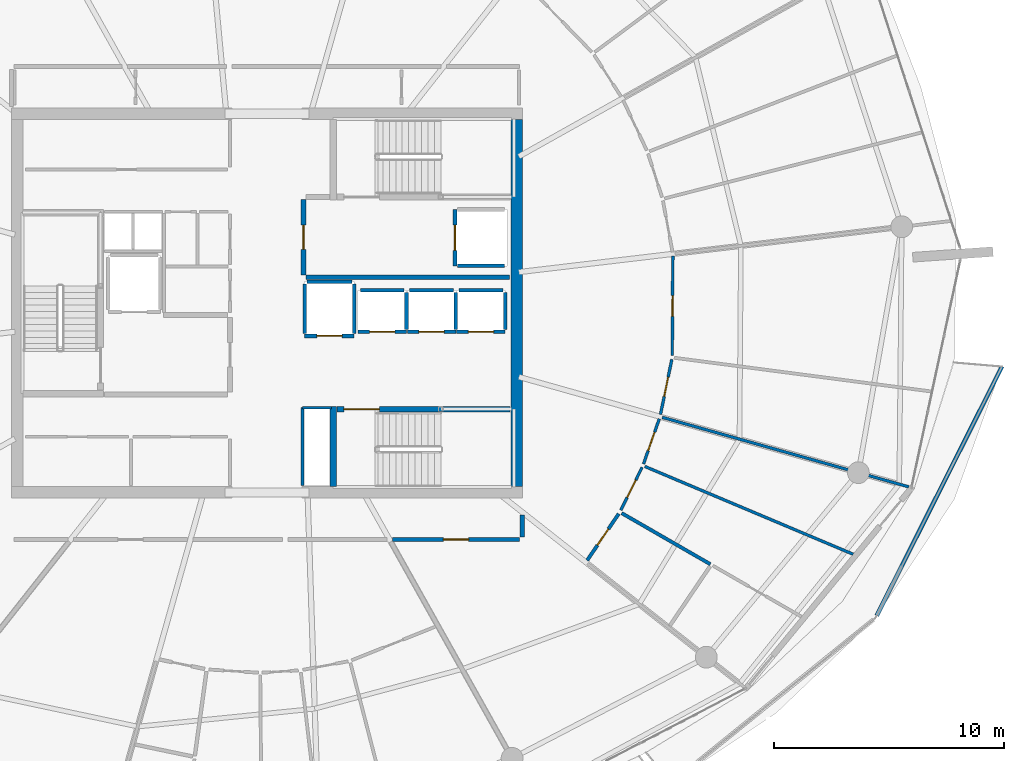
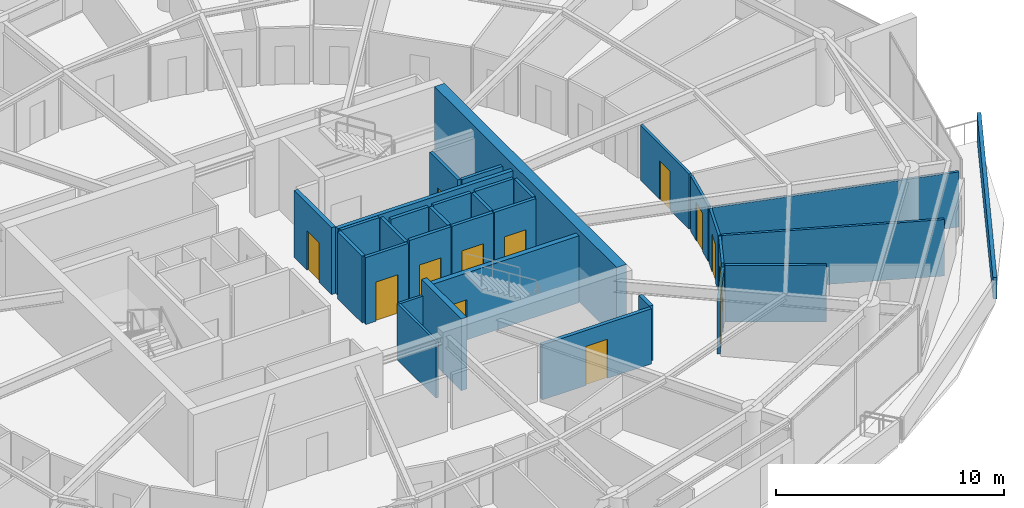
# One storey, part 20 of 30: 33 walls, 13 doors, 13 openings.
"""IFC4 building model written with IfcOpenShell, lengths in metres."""

from ifc_helpers import new_model, si_unit, direction, frame, frame_2d, origin, place, context, subcontext, project, spatial, polyline, rectangle, outline, extrude, material, layer, layer_set, type_object, element, fill, save


model = new_model("IFC4")

# Units and contexts
model_context = context("Model", 3, precision=1e-05, world=origin(), true_north=direction((0.0, 1.0)))
body_context = subcontext(model_context, "Body", "Model", "MODEL_VIEW")
ifc_project = project(units=[si_unit("LENGTHUNIT", "METRE"), si_unit("AREAUNIT", "SQUARE_METRE"), si_unit("VOLUMEUNIT", "CUBIC_METRE"), si_unit("PLANEANGLEUNIT", "RADIAN"), si_unit("MASSUNIT", "GRAM", prefix="KILO")], contexts=[model_context])

# Site, building, storey
site_placement = place(None, origin())
site = spatial("IfcSite", under=ifc_project, at=site_placement, CompositionType="ELEMENT")
building_placement = place(site_placement, origin())
building = spatial("IfcBuilding", under=site, at=building_placement, Name="Kazma Halo Residences", CompositionType="ELEMENT")
storey_placement = place(building_placement, frame((0.0, 0.0, 298.300048828125)))
storey = spatial("IfcBuildingStorey", under=building, at=storey_placement, Name="L75", CompositionType="ELEMENT", Elevation=298.300048828125)

# Walls
ifc_material_1 = material(Name="White Concrete C50/60 Balustrade", Category="concrete")
ifc_layer_1 = layer(ifc_material_1, 0.179931640625)
ifc_layer_set_1 = layer_set([ifc_layer_1], Name="White Concrete C50/60 Balustrade")
wall_type_1 = type_object("IfcWallType", Name="WL-BAL-WAVE-180", PredefinedType="PARAPET", material=ifc_layer_set_1)
wall_1_placement = place(storey_placement, frame((74.99072265625, 28.382080078125, 0.0), z_axis=(0.0, 0.0, 1.0), x_axis=(0.449276289184, 0.893392867655, 0.0)))
element("IfcWall", 1, at=wall_1_placement, inside=storey, type_object=wall_type_1, Name="L75 white wave balustrade wall SE.2", PredefinedType="PARAPET", context=body_context, shape_type="SweptSolid", body=[
    extrude(outline(polyline([(0.0, 0.0), (12.160400390625, 0.0), (12.160400390625, 1.48291015625), (6.080078125, 1.283935546875), (0.0, 1.14794921875), (0.0, 0.0)])), frame((0.0, 0.08984375, 0.0), z_axis=(0.0, -1.0, 0.0), x_axis=(1.0, 0.0, 0.0)), (0.0, 0.0, 1.0), 0.179931640625),
])
ifc_material_2 = material(Name="Concrete C60/75", Category="concrete")
ifc_layer_2 = layer(ifc_material_2, 0.5)
ifc_layer_set_2 = layer_set([ifc_layer_2], Name="Concrete C60/75")
wall_type_2 = type_object("IfcWallType", Name="WL-CORE-500", PredefinedType="SHEAR", material=ifc_layer_set_2)
wall_2_placement = place(storey_placement, frame((59.300048828125, 34.0, 0.0), z_axis=(0.0, 0.0, 1.0), x_axis=(0.0, 1.0, 0.0)))
element("IfcWall", 2, at=wall_2_placement, inside=storey, type_object=wall_type_2, Name="L75 central core shear wall E", PredefinedType="SHEAR", context=body_context, shape_type="SweptSolid", body=[
    extrude(rectangle(XDim=16.0, YDim=0.5, at=frame_2d((8.0, 0.0))), origin(), (0.0, 0.0, 1.0), 3.849853515625),
])
ifc_layer_3 = layer(ifc_material_2, 0.280029296875)
ifc_layer_set_3 = layer_set([ifc_layer_3], Name="Concrete C60/75")
wall_type_3 = type_object("IfcWallType", Name="WL-CORE-ST-280", PredefinedType="SHEAR", material=ifc_layer_set_3)
wall_3_placement = place(storey_placement, frame((51.31005859375, 34.0, 0.0), z_axis=(0.0, 0.0, 1.0), x_axis=(0.0, 1.0, 0.0)))
element("IfcWall", 3, at=wall_3_placement, inside=storey, type_object=wall_type_3, Name="L75 stairwell bearing wall ST03-W", PredefinedType="SHEAR", context=body_context, shape_type="SweptSolid", body=[
    extrude(rectangle(XDim=3.5, YDim=0.280029296875, at=frame_2d((1.75, 0.0))), origin(), (0.0, 0.0, 1.0), 3.849853515625),
])

# Wall, opening, door
ifc_material_3 = material(Name="Acoustic Twin-Stud Gypsum")
ifc_layer_4 = layer(ifc_material_3, 0.179931640625)
ifc_layer_set_4 = layer_set([ifc_layer_4], Name="Acoustic Twin-Stud Gypsum")
wall_type_4 = type_object("IfcWallType", Name="WL-DEM-180", PredefinedType="PARTITIONING", material=ifc_layer_set_4)
wall_4_placement = place(storey_placement, frame((53.88818359375, 31.699951171875, 0.0), z_axis=(0.0, 0.0, 1.0), x_axis=(1.0, 0.0, 0.0)))
wall_4 = element("IfcWall", 4, at=wall_4_placement, inside=storey, type_object=wall_type_4, Name="L75 Apartment 2 entrance corridor wall", PredefinedType="PARTITIONING", context=body_context, shape_type="SweptSolid", body=[
    extrude(rectangle(XDim=5.541748046875, YDim=0.179931640625, at=frame_2d((2.77099609375, 0.0))), origin(), (0.0, 0.0, 1.0), 2.95703125),
])
opening_1_placement = place(wall_4_placement, frame((2.220703125, 0.0, 0.0)))
opening_1 = element("IfcOpeningElement", 5, at=opening_1_placement, cuts=wall_4, Name="Opening DA-1100", PredefinedType="OPENING", context=body_context, shape_type="SweptSolid", body=[
    extrude(rectangle(XDim=1.10009765625, YDim=2.10009765625, at=frame_2d((0.550048828125, 1.050048828125))), frame((0.0, 0.099853515625, 0.0), z_axis=(0.0, -1.0, 0.0), x_axis=(1.0, 0.0, 0.0)), (0.0, 0.0, 1.0), 0.199951171875),
])
ifc_material_4 = material(Name="Acoustic Walnut Fire Leaf")
door_type_1 = type_object("IfcDoorType", Name="DR-FD60-1100", OperationType="NOTDEFINED", PredefinedType="DOOR", material=ifc_material_4)
door_1_placement = place(opening_1_placement, origin())
door_1 = element("IfcDoor", 6, at=door_1_placement, inside=storey, type_object=door_type_1, Name="L75 Apartment 2 entrance fire door", OperationType="SINGLE_SWING_RIGHT", OverallHeight=2.10009765625, OverallWidth=1.10009765625, PredefinedType="DOOR", context=body_context, shape_type="SweptSolid", body=[
    extrude(rectangle(XDim=1.10009765625, YDim=2.10009765625, at=frame_2d((0.550048828125, 1.050048828125))), frame((0.0, 0.02490234375, 0.0), z_axis=(0.0, -1.0, 0.0), x_axis=(1.0, 0.0, 0.0)), (0.0, 0.0, 1.0), 0.050048828125),
])
fill(opening_1, door_1)

# Wall
wall_5_placement = place(storey_placement, frame((59.550048828125, 31.820068359375, 0.0), z_axis=(0.0, 0.0, 1.0), x_axis=(0.0, 1.0, 0.0)))
element("IfcWall", 7, at=wall_5_placement, inside=storey, type_object=wall_type_4, Name="L75 Apartment 2 entrance corridor wall", PredefinedType="PARTITIONING", context=body_context, shape_type="SweptSolid", body=[
    extrude(rectangle(XDim=0.95458984375, YDim=0.179931640625, at=frame_2d((0.477294921875, 0.0))), origin(), (0.0, 0.0, 1.0), 2.95703125),
])

# Wall, opening, door
ifc_material_5 = material(Name="Fire-Rated Blockwork Masonry", Category="masonry")
ifc_layer_5 = layer(ifc_material_5, 0.199951171875)
ifc_layer_set_5 = layer_set([ifc_layer_5], Name="Fire-Rated Blockwork Masonry")
wall_type_5 = type_object("IfcWallType", Name="WL-FLB-200", PredefinedType="PARTITIONING", material=ifc_layer_set_5)
wall_6_placement = place(storey_placement, frame((54.5048828125, 40.7451171875, 0.0), z_axis=(0.0, 0.0, 1.0), x_axis=(-1.0, 0.0, 0.0)))
wall_6 = element("IfcWall", 8, at=wall_6_placement, inside=storey, type_object=wall_type_5, Name="L75 lift shaft PH-01 front wall", PredefinedType="PARTITIONING", context=body_context, shape_type="SweptSolid", body=[
    extrude(rectangle(XDim=2.10986328125, YDim=0.159912109375, at=frame_2d((1.054931640625, 0.0))), origin(), (0.0, 0.0, 1.0), 3.58984375),
])
opening_2_placement = place(wall_6_placement, frame((0.5048828125, 0.0, 0.0)))
opening_2 = element("IfcOpeningElement", 9, at=opening_2_placement, cuts=wall_6, Name="Opening LD-PH-01", PredefinedType="OPENING", context=body_context, shape_type="SweptSolid", body=[
    extrude(rectangle(XDim=1.10009765625, YDim=2.10009765625, at=frame_2d((0.550048828125, 1.050048828125))), frame((0.0, 0.08984375, 0.0), z_axis=(0.0, -1.0, 0.0), x_axis=(1.0, 0.0, 0.0)), (0.0, 0.0, 1.0), 0.179931640625),
])
ifc_material_6 = material(Name="Stainless Steel Fire-Rated", Category="steel")
door_type_2 = type_object("IfcDoorType", Name="DR-LIFT-SLD-1100", OperationType="DOUBLE_DOOR_SLIDING", PredefinedType="DOOR", material=ifc_material_6)
door_2_placement = place(opening_2_placement, origin())
door_2 = element("IfcDoor", 10, at=door_2_placement, inside=storey, type_object=door_type_2, Name="L75 lift PH-01 sliding landing door", OperationType="DOUBLE_DOOR_SLIDING", OverallHeight=2.10009765625, OverallWidth=1.10009765625, PredefinedType="DOOR", context=body_context, shape_type="SweptSolid", body=[
    extrude(rectangle(XDim=1.10009765625, YDim=2.10009765625, at=frame_2d((0.550048828125, 1.050048828125))), frame((0.0, 0.02490234375, 0.0), z_axis=(0.0, -1.0, 0.0), x_axis=(1.0, 0.0, 0.0)), (0.0, 0.0, 1.0), 0.050048828125),
])
fill(opening_2, door_2)

# Walls
wall_7_placement = place(storey_placement, frame((54.5048828125, 40.844970703125, 0.0), z_axis=(0.0, 0.0, 1.0), x_axis=(0.0, 1.0, 0.0)))
element("IfcWall", 11, at=wall_7_placement, inside=storey, type_object=wall_type_5, Name="L75 lift shaft PH-01 side wall E", PredefinedType="PARTITIONING", context=body_context, shape_type="SweptSolid", body=[
    extrude(rectangle(XDim=1.610107421875, YDim=0.159912109375, at=frame_2d((0.80517578125, 0.0))), origin(), (0.0, 0.0, 1.0), 3.58984375),
])
wall_8_placement = place(storey_placement, frame((52.4951171875, 42.554931640625, 0.0), z_axis=(0.0, 0.0, 1.0), x_axis=(1.0, 0.0, 0.0)))
element("IfcWall", 12, at=wall_8_placement, inside=storey, type_object=wall_type_5, Name="L75 lift shaft PH-01 side wall N", PredefinedType="PARTITIONING", context=body_context, shape_type="SweptSolid", body=[
    extrude(rectangle(XDim=1.909912109375, YDim=0.159912109375, at=frame_2d((0.955078125, 0.0))), origin(), (0.0, 0.0, 1.0), 3.58984375),
])

# Wall, opening, door
wall_9_placement = place(storey_placement, frame((56.655029296875, 40.7451171875, 0.0), z_axis=(0.0, 0.0, 1.0), x_axis=(-1.0, 0.0, 0.0)))
wall_9 = element("IfcWall", 13, at=wall_9_placement, inside=storey, type_object=wall_type_5, Name="L75 lift shaft PH-02 front wall", PredefinedType="PARTITIONING", context=body_context, shape_type="SweptSolid", body=[
    extrude(rectangle(XDim=2.110107421875, YDim=0.159912109375, at=frame_2d((1.05517578125, 0.0))), origin(), (0.0, 0.0, 1.0), 3.58984375),
])
opening_3_placement = place(wall_9_placement, frame((0.5048828125, 0.0, 0.0)))
opening_3 = element("IfcOpeningElement", 14, at=opening_3_placement, cuts=wall_9, Name="Opening LD-PH-02", PredefinedType="OPENING", context=body_context, shape_type="SweptSolid", body=[
    extrude(rectangle(XDim=1.10009765625, YDim=2.10009765625, at=frame_2d((0.550048828125, 1.050048828125))), frame((0.0, 0.08984375, 0.0), z_axis=(0.0, -1.0, 0.0), x_axis=(1.0, 0.0, 0.0)), (0.0, 0.0, 1.0), 0.179931640625),
])
door_3_placement = place(opening_3_placement, origin())
door_3 = element("IfcDoor", 15, at=door_3_placement, inside=storey, type_object=door_type_2, Name="L75 lift PH-02 sliding landing door", OperationType="DOUBLE_DOOR_SLIDING", OverallHeight=2.10009765625, OverallWidth=1.10009765625, PredefinedType="DOOR", context=body_context, shape_type="SweptSolid", body=[
    extrude(rectangle(XDim=1.10009765625, YDim=2.10009765625, at=frame_2d((0.550048828125, 1.050048828125))), frame((0.0, 0.02490234375, 0.0), z_axis=(0.0, -1.0, 0.0), x_axis=(1.0, 0.0, 0.0)), (0.0, 0.0, 1.0), 0.050048828125),
])
fill(opening_3, door_3)

# Walls
wall_10_placement = place(storey_placement, frame((56.655029296875, 40.844970703125, 0.0), z_axis=(0.0, 0.0, 1.0), x_axis=(0.0, 1.0, 0.0)))
element("IfcWall", 16, at=wall_10_placement, inside=storey, type_object=wall_type_5, Name="L75 lift shaft PH-02 side wall E", PredefinedType="PARTITIONING", context=body_context, shape_type="SweptSolid", body=[
    extrude(rectangle(XDim=1.610107421875, YDim=0.159912109375, at=frame_2d((0.80517578125, 0.0))), origin(), (0.0, 0.0, 1.0), 3.58984375),
])
wall_11_placement = place(storey_placement, frame((54.64501953125, 42.554931640625, 0.0), z_axis=(0.0, 0.0, 1.0), x_axis=(1.0, 0.0, 0.0)))
element("IfcWall", 17, at=wall_11_placement, inside=storey, type_object=wall_type_5, Name="L75 lift shaft PH-02 side wall N", PredefinedType="PARTITIONING", context=body_context, shape_type="SweptSolid", body=[
    extrude(rectangle(XDim=1.909912109375, YDim=0.159912109375, at=frame_2d((0.955078125, 0.0))), origin(), (0.0, 0.0, 1.0), 3.58984375),
])

# Wall, opening, door
wall_12_placement = place(storey_placement, frame((58.804931640625, 40.7451171875, 0.0), z_axis=(0.0, 0.0, 1.0), x_axis=(-1.0, 0.0, 0.0)))
wall_12 = element("IfcWall", 18, at=wall_12_placement, inside=storey, type_object=wall_type_5, Name="L75 lift shaft PH-03 front wall", PredefinedType="PARTITIONING", context=body_context, shape_type="SweptSolid", body=[
    extrude(rectangle(XDim=2.10986328125, YDim=0.159912109375, at=frame_2d((1.054931640625, 0.0))), origin(), (0.0, 0.0, 1.0), 3.58984375),
])
opening_4_placement = place(wall_12_placement, frame((0.5048828125, 0.0, 0.0)))
opening_4 = element("IfcOpeningElement", 19, at=opening_4_placement, cuts=wall_12, Name="Opening LD-PH-03", PredefinedType="OPENING", context=body_context, shape_type="SweptSolid", body=[
    extrude(rectangle(XDim=1.10009765625, YDim=2.10009765625, at=frame_2d((0.550048828125, 1.050048828125))), frame((0.0, 0.08984375, 0.0), z_axis=(0.0, -1.0, 0.0), x_axis=(1.0, 0.0, 0.0)), (0.0, 0.0, 1.0), 0.179931640625),
])
door_4_placement = place(opening_4_placement, origin())
door_4 = element("IfcDoor", 20, at=door_4_placement, inside=storey, type_object=door_type_2, Name="L75 lift PH-03 sliding landing door", OperationType="DOUBLE_DOOR_SLIDING", OverallHeight=2.10009765625, OverallWidth=1.10009765625, PredefinedType="DOOR", context=body_context, shape_type="SweptSolid", body=[
    extrude(rectangle(XDim=1.10009765625, YDim=2.10009765625, at=frame_2d((0.550048828125, 1.050048828125))), frame((0.0, 0.02490234375, 0.0), z_axis=(0.0, -1.0, 0.0), x_axis=(1.0, 0.0, 0.0)), (0.0, 0.0, 1.0), 0.050048828125),
])
fill(opening_4, door_4)

# Walls
wall_13_placement = place(storey_placement, frame((58.804931640625, 40.844970703125, 0.0), z_axis=(0.0, 0.0, 1.0), x_axis=(0.0, 1.0, 0.0)))
element("IfcWall", 21, at=wall_13_placement, inside=storey, type_object=wall_type_5, Name="L75 lift shaft PH-03 side wall E", PredefinedType="PARTITIONING", context=body_context, shape_type="SweptSolid", body=[
    extrude(rectangle(XDim=1.610107421875, YDim=0.159912109375, at=frame_2d((0.80517578125, 0.0))), origin(), (0.0, 0.0, 1.0), 3.58984375),
])
wall_14_placement = place(storey_placement, frame((56.794921875, 42.554931640625, 0.0), z_axis=(0.0, 0.0, 1.0), x_axis=(1.0, 0.0, 0.0)))
element("IfcWall", 22, at=wall_14_placement, inside=storey, type_object=wall_type_5, Name="L75 lift shaft PH-03 side wall N", PredefinedType="PARTITIONING", context=body_context, shape_type="SweptSolid", body=[
    extrude(rectangle(XDim=1.91015625, YDim=0.159912109375, at=frame_2d((0.955078125, 0.0))), origin(), (0.0, 0.0, 1.0), 3.58984375),
])

# Wall, opening, door
wall_15_placement = place(storey_placement, frame((56.6201171875, 46.080078125, 0.0), z_axis=(0.0, 0.0, 1.0), x_axis=(0.0, -1.0, 0.0)))
wall_15 = element("IfcWall", 23, at=wall_15_placement, inside=storey, type_object=wall_type_5, Name="L75 lift shaft FL-02 front wall", PredefinedType="PARTITIONING", context=body_context, shape_type="SweptSolid", body=[
    extrude(rectangle(XDim=2.4599609375, YDim=0.159912109375, at=frame_2d((1.22998046875, 0.0))), origin(), (0.0, 0.0, 1.0), 3.58984375),
])
opening_5_placement = place(wall_15_placement, frame((0.679931640625, 0.0, 0.0)))
opening_5 = element("IfcOpeningElement", 24, at=opening_5_placement, cuts=wall_15, Name="Opening LD-FL-02", PredefinedType="OPENING", context=body_context, shape_type="SweptSolid", body=[
    extrude(rectangle(XDim=1.10009765625, YDim=2.10009765625, at=frame_2d((0.550048828125, 1.050048828125))), frame((0.0, 0.08984375, 0.0), z_axis=(0.0, -1.0, 0.0), x_axis=(1.0, 0.0, 0.0)), (0.0, 0.0, 1.0), 0.179931640625),
])
door_5_placement = place(opening_5_placement, origin())
door_5 = element("IfcDoor", 25, at=door_5_placement, inside=storey, type_object=door_type_2, Name="L75 lift FL-02 sliding landing door", OperationType="DOUBLE_DOOR_SLIDING", OverallHeight=2.10009765625, OverallWidth=1.10009765625, PredefinedType="DOOR", context=body_context, shape_type="SweptSolid", body=[
    extrude(rectangle(XDim=1.10009765625, YDim=2.10009765625, at=frame_2d((0.550048828125, 1.050048828125))), frame((0.0, 0.02490234375, 0.0), z_axis=(0.0, -1.0, 0.0), x_axis=(1.0, 0.0, 0.0)), (0.0, 0.0, 1.0), 0.050048828125),
])
fill(opening_5, door_5)

# Wall
wall_16_placement = place(storey_placement, frame((56.719970703125, 43.6201171875, 0.0), z_axis=(0.0, 0.0, 1.0), x_axis=(1.0, 0.0, 0.0)))
element("IfcWall", 26, at=wall_16_placement, inside=storey, type_object=wall_type_5, Name="L75 lift shaft FL-02 side wall S", PredefinedType="PARTITIONING", context=body_context, shape_type="SweptSolid", body=[
    extrude(rectangle(XDim=2.06005859375, YDim=0.159912109375, at=frame_2d((1.030029296875, 0.0))), origin(), (0.0, 0.0, 1.0), 3.58984375),
])

# Wall, opening, door
wall_17_placement = place(storey_placement, frame((52.22998046875, 40.570068359375, 0.0), z_axis=(0.0, 0.0, 1.0), x_axis=(-1.0, 0.0, 0.0)))
wall_17 = element("IfcWall", 27, at=wall_17_placement, inside=storey, type_object=wall_type_5, Name="L75 lift shaft SV-01 front wall", PredefinedType="PARTITIONING", context=body_context, shape_type="SweptSolid", body=[
    extrude(rectangle(XDim=2.159912109375, YDim=0.159912109375, at=frame_2d((1.080078125, 0.0))), origin(), (0.0, 0.0, 1.0), 3.58984375),
])
opening_6_placement = place(wall_17_placement, frame((0.530029296875, 0.0, 0.0)))
opening_6 = element("IfcOpeningElement", 28, at=opening_6_placement, cuts=wall_17, Name="Opening LD-SV-01", PredefinedType="OPENING", context=body_context, shape_type="SweptSolid", body=[
    extrude(rectangle(XDim=1.10009765625, YDim=2.10009765625, at=frame_2d((0.550048828125, 1.050048828125))), frame((0.0, 0.08984375, 0.0), z_axis=(0.0, -1.0, 0.0), x_axis=(1.0, 0.0, 0.0)), (0.0, 0.0, 1.0), 0.179931640625),
])
door_6_placement = place(opening_6_placement, origin())
door_6 = element("IfcDoor", 29, at=door_6_placement, inside=storey, type_object=door_type_2, Name="L75 lift SV-01 sliding landing door", OperationType="DOUBLE_DOOR_SLIDING", OverallHeight=2.10009765625, OverallWidth=1.10009765625, PredefinedType="DOOR", context=body_context, shape_type="SweptSolid", body=[
    extrude(rectangle(XDim=1.10009765625, YDim=2.10009765625, at=frame_2d((0.550048828125, 1.050048828125))), frame((0.0, 0.02490234375, 0.0), z_axis=(0.0, -1.0, 0.0), x_axis=(1.0, 0.0, 0.0)), (0.0, 0.0, 1.0), 0.050048828125),
])
fill(opening_6, door_6)

# Walls
for number, where, z_axis, x_axis, name in (
    (30, (52.22998046875, 40.669921875, 0.0), (0.0, 0.0, 1.0), (0.0, 1.0, 0.0), "L75 lift shaft SV-01 side wall E"),
    (31, (50.070068359375, 40.669921875, 0.0), (0.0, 0.0, 1.0), (0.0, 1.0, 0.0), "L75 lift shaft SV-01 side wall W"),
):
    element("IfcWall", number, at=place(storey_placement, frame(where, z_axis=z_axis, x_axis=x_axis)), inside=storey, type_object=wall_type_5, Name=name, PredefinedType="PARTITIONING", context=body_context, shape_type="SweptSolid", body=[
        extrude(rectangle(XDim=2.16015625, YDim=0.159912109375, at=frame_2d((1.080078125, 0.0))), origin(), (0.0, 0.0, 1.0), 3.58984375),
    ])
wall_18_placement = place(storey_placement, frame((50.169921875, 42.929931640625, 0.0), z_axis=(0.0, 0.0, 1.0), x_axis=(1.0, 0.0, 0.0)))
element("IfcWall", 32, at=wall_18_placement, inside=storey, type_object=wall_type_5, Name="L75 lift shaft SV-01 side wall N", PredefinedType="PARTITIONING", context=body_context, shape_type="SweptSolid", body=[
    extrude(rectangle(XDim=1.9599609375, YDim=0.159912109375, at=frame_2d((0.97998046875, 0.0))), origin(), (0.0, 0.0, 1.0), 3.58984375),
])
wall_19_placement = place(storey_placement, frame((50.1201171875, 43.1201171875, 0.0), z_axis=(0.0, 0.0, 1.0), x_axis=(1.0, 0.0, 0.0)))
element("IfcWall", 33, at=wall_19_placement, inside=storey, type_object=wall_type_5, Name="L75 east firefighting lobby south smoke wall", PredefinedType="PARTITIONING", context=body_context, shape_type="SweptSolid", body=[
    extrude(rectangle(XDim=8.8798828125, YDim=0.199951171875, at=frame_2d((4.43994140625, 0.0))), origin(), (0.0, 0.0, 1.0), 3.58984375),
])

# Wall, opening, door
wall_20_placement = place(storey_placement, frame((50.02001953125, 43.219970703125, 0.0), z_axis=(0.0, 0.0, 1.0), x_axis=(0.0, 1.0, 0.0)))
wall_20 = element("IfcWall", 34, at=wall_20_placement, inside=storey, type_object=wall_type_5, Name="L75 east firefighting lobby smoke wall", PredefinedType="PARTITIONING", context=body_context, shape_type="SweptSolid", body=[
    extrude(rectangle(XDim=3.300048828125, YDim=0.199951171875, at=frame_2d((1.64990234375, 0.0))), origin(), (0.0, 0.0, 1.0), 3.58984375),
])
opening_7_placement = place(wall_20_placement, frame((1.125, 0.0, 0.0)))
opening_7 = element("IfcOpeningElement", 35, at=opening_7_placement, cuts=wall_20, Name="Opening D-FLE", PredefinedType="OPENING", context=body_context, shape_type="SweptSolid", body=[
    extrude(rectangle(XDim=1.050048828125, YDim=2.10009765625, at=frame_2d((0.52490234375, 1.050048828125))), frame((0.0, 0.10986328125, 0.0), z_axis=(0.0, -1.0, 0.0), x_axis=(1.0, 0.0, 0.0)), (0.0, 0.0, 1.0), 0.219970703125),
])
ifc_material_7 = material(Name="Fire-Rated Steel Leaf", Category="steel")
door_type_3 = type_object("IfcDoorType", Name="DR-FD90-1050", OperationType="NOTDEFINED", PredefinedType="DOOR", material=ifc_material_7)
door_7_placement = place(opening_7_placement, origin())
door_7 = element("IfcDoor", 36, at=door_7_placement, inside=storey, type_object=door_type_3, Name="L75 east firefighting lobby smoke door", OperationType="SINGLE_SWING_LEFT", OverallHeight=2.10009765625, OverallWidth=1.050048828125, PredefinedType="DOOR", context=body_context, shape_type="SweptSolid", body=[
    extrude(rectangle(XDim=1.050048828125, YDim=2.10009765625, at=frame_2d((0.52490234375, 1.050048828125))), frame((0.0, 0.02490234375, 0.0), z_axis=(0.0, -1.0, 0.0), x_axis=(1.0, 0.0, 0.0)), (0.0, 0.0, 1.0), 0.050048828125),
])
fill(opening_7, door_7)

# Walls
ifc_material_8 = material(Name="Gypsum Plasterboard Partition")
ifc_layer_6 = layer(ifc_material_8, 0.125)
ifc_layer_set_6 = layer_set([ifc_layer_6], Name="Gypsum Plasterboard Partition")
wall_type_6 = type_object("IfcWallType", Name="WL-PART-125", PredefinedType="PARTITIONING", material=ifc_layer_set_6)
wall_21_placement = place(storey_placement, frame((49.97998046875, 34.06005859375, 0.0), z_axis=(0.0, 0.0, 1.0), x_axis=(0.0, 1.0, 0.0)))
element("IfcWall", 37, at=wall_21_placement, inside=storey, type_object=wall_type_6, Name="L75 standpipe riser wall", PredefinedType="PARTITIONING", context=body_context, shape_type="SweptSolid", body=[
    extrude(rectangle(XDim=3.39990234375, YDim=0.125, at=frame_2d((1.699951171875, 0.0))), origin(), (0.0, 0.0, 1.0), 3.030029296875),
])
wall_22_placement = place(storey_placement, frame((49.97998046875, 37.43994140625, 0.0), z_axis=(0.0, 0.0, 1.0), x_axis=(1.0, 0.0, 0.0)))
element("IfcWall", 38, at=wall_22_placement, inside=storey, type_object=wall_type_6, Name="L75 standpipe riser north wall", PredefinedType="PARTITIONING", context=body_context, shape_type="SweptSolid", body=[
    extrude(rectangle(XDim=1.260009765625, YDim=0.125, at=frame_2d((0.6298828125, 0.0))), origin(), (0.0, 0.0, 1.0), 3.030029296875),
])
wall_23_placement = place(storey_placement, frame((64.887939453125, 34.884033203125, 0.0), z_axis=(0.0, 0.0, 1.0), x_axis=(0.921531711532, -0.388303109235, 0.0)))
element("IfcWall", 39, at=wall_23_placement, inside=storey, type_object=wall_type_6, Name="L75 Apartment 2 suite divider 13", PredefinedType="PARTITIONING", context=body_context, shape_type="SweptSolid", body=[
    extrude(rectangle(XDim=9.8447265625, YDim=0.125, at=frame_2d((4.92236328125, 0.0))), origin(), (0.0, 0.0, 1.0), 3.030029296875),
])

# Wall, opening, door
wall_24_placement = place(storey_placement, frame((63.84130859375, 32.97705078125, 0.0), z_axis=(0.0, 0.0, 1.0), x_axis=(0.444545737729, 0.895756153798, 0.0)))
wall_24 = element("IfcWall", 40, at=wall_24_placement, inside=storey, type_object=wall_type_6, Name="L75 Apartment 2 Gourmet Kitchen hall wall", PredefinedType="PARTITIONING", context=body_context, shape_type="SweptSolid", body=[
    extrude(rectangle(XDim=2.088134765625, YDim=0.125, at=frame_2d((1.0439453125, 0.0))), origin(), (0.0, 0.0, 1.0), 3.030029296875),
])
opening_8_placement = place(wall_24_placement, frame((0.618896484375, 0.0, 0.0)))
opening_8 = element("IfcOpeningElement", 41, at=opening_8_placement, cuts=wall_24, Name="Opening DB-900", PredefinedType="OPENING", context=body_context, shape_type="SweptSolid", body=[
    extrude(rectangle(XDim=0.85009765625, YDim=2.06005859375, at=frame_2d((0.425048828125, 1.030029296875))), frame((0.0, 0.072509765625, 0.0), z_axis=(0.0, -1.0, 0.0), x_axis=(1.0, 0.0, 0.0)), (0.0, 0.0, 1.0), 0.14501953125),
])
ifc_material_9 = material(Name="Moisture-Sealed Timber Leaf", Category="wood")
door_type_4 = type_object("IfcDoorType", Name="DR-BTH-900", OperationType="NOTDEFINED", PredefinedType="DOOR", material=ifc_material_9)
door_8_placement = place(opening_8_placement, origin())
door_8 = element("IfcDoor", 42, at=door_8_placement, inside=storey, type_object=door_type_4, Name="L75 Apartment 2 Gourmet Kitchen door", OperationType="SINGLE_SWING_LEFT", OverallHeight=2.06005859375, OverallWidth=0.85009765625, PredefinedType="DOOR", context=body_context, shape_type="SweptSolid", body=[
    extrude(rectangle(XDim=0.85009765625, YDim=2.06005859375, at=frame_2d((0.425048828125, 1.030029296875))), frame((0.0, 0.02490234375, 0.0), z_axis=(0.0, -1.0, 0.0), x_axis=(1.0, 0.0, 0.0)), (0.0, 0.0, 1.0), 0.050048828125),
])
fill(opening_8, door_8)

wall_25_placement = place(storey_placement, frame((64.83154296875, 34.994384765625, 0.0), z_axis=(0.0, 0.0, 1.0), x_axis=(0.330502190572, 0.943805224624, 0.0)))
wall_25 = element("IfcWall", 43, at=wall_25_placement, inside=storey, type_object=wall_type_6, Name="L75 Apartment 2 Primary Bedroom hall wall", PredefinedType="PARTITIONING", context=body_context, shape_type="SweptSolid", body=[
    extrude(rectangle(XDim=2.077880859375, YDim=0.125, at=frame_2d((1.0390625, 0.0))), origin(), (0.0, 0.0, 1.0), 2.95703125),
])
opening_9_placement = place(wall_25_placement, frame((0.614013671875, 0.0, 0.0)))
opening_9 = element("IfcOpeningElement", 44, at=opening_9_placement, cuts=wall_25, Name="Opening DB-900", PredefinedType="OPENING", context=body_context, shape_type="SweptSolid", body=[
    extrude(rectangle(XDim=0.85009765625, YDim=2.06005859375, at=frame_2d((0.425048828125, 1.030029296875))), frame((0.0, 0.072509765625, 0.0), z_axis=(0.0, -1.0, 0.0), x_axis=(1.0, 0.0, 0.0)), (0.0, 0.0, 1.0), 0.14501953125),
])
door_9_placement = place(opening_9_placement, origin())
door_9 = element("IfcDoor", 45, at=door_9_placement, inside=storey, type_object=door_type_4, Name="L75 Apartment 2 Primary Bedroom door", OperationType="SINGLE_SWING_RIGHT", OverallHeight=2.06005859375, OverallWidth=0.85009765625, PredefinedType="DOOR", context=body_context, shape_type="SweptSolid", body=[
    extrude(rectangle(XDim=0.85009765625, YDim=2.06005859375, at=frame_2d((0.425048828125, 1.030029296875))), frame((0.0, 0.02490234375, 0.0), z_axis=(0.0, -1.0, 0.0), x_axis=(1.0, 0.0, 0.0)), (0.0, 0.0, 1.0), 0.050048828125),
])
fill(opening_9, door_9)

# Wall
wall_26_placement = place(storey_placement, frame((65.6474609375, 37.02294921875, 0.0), z_axis=(0.0, 0.0, 1.0), x_axis=(0.962452900165, -0.271448733583, 0.0)))
element("IfcWall", 46, at=wall_26_placement, inside=storey, type_object=wall_type_6, Name="L75 Apartment 2 radial partition 14", PredefinedType="PARTITIONING", context=body_context, shape_type="SweptSolid", body=[
    extrude(rectangle(XDim=11.15966796875, YDim=0.125, at=frame_2d((5.579833984375, 0.0))), origin(), (0.0, 0.0, 1.0), 2.95703125),
])

# Wall, opening, door
wall_27_placement = place(storey_placement, frame((65.5712890625, 37.14794921875, 0.0), z_axis=(0.0, 0.0, 1.0), x_axis=(0.201338395816, 0.979521745736, 0.0)))
wall_27 = element("IfcWall", 47, at=wall_27_placement, inside=storey, type_object=wall_type_6, Name="L75 Apartment 2 Primary Wine Pantry Store hall wall", PredefinedType="PARTITIONING", context=body_context, shape_type="SweptSolid", body=[
    extrude(rectangle(XDim=2.453125, YDim=0.125, at=frame_2d((1.2265625, 0.0))), origin(), (0.0, 0.0, 1.0), 2.95703125),
])
opening_10_placement = place(wall_27_placement, frame((0.801513671875, 0.0, 0.0)))
opening_10 = element("IfcOpeningElement", 48, at=opening_10_placement, cuts=wall_27, Name="Opening DB-900", PredefinedType="OPENING", context=body_context, shape_type="SweptSolid", body=[
    extrude(rectangle(XDim=0.85009765625, YDim=2.06005859375, at=frame_2d((0.425048828125, 1.030029296875))), frame((0.0, 0.072509765625, 0.0), z_axis=(0.0, -1.0, 0.0), x_axis=(1.0, 0.0, 0.0)), (0.0, 0.0, 1.0), 0.14501953125),
])
door_10_placement = place(opening_10_placement, origin())
door_10 = element("IfcDoor", 49, at=door_10_placement, inside=storey, type_object=door_type_4, Name="L75 Apartment 2 Primary Wine Pantry Store door", OperationType="SINGLE_SWING_RIGHT", OverallHeight=2.06005859375, OverallWidth=0.85009765625, PredefinedType="DOOR", context=body_context, shape_type="SweptSolid", body=[
    extrude(rectangle(XDim=0.85009765625, YDim=2.06005859375, at=frame_2d((0.425048828125, 1.030029296875))), frame((0.0, 0.02490234375, 0.0), z_axis=(0.0, -1.0, 0.0), x_axis=(1.0, 0.0, 0.0)), (0.0, 0.0, 1.0), 0.050048828125),
])
fill(opening_10, door_10)

wall_28_placement = place(storey_placement, frame((66.081787109375, 39.709228515625, 0.0), z_axis=(0.0, 0.0, 1.0), x_axis=(0.006252342161, 0.999980453918, 0.0)))
wall_28 = element("IfcWall", 50, at=wall_28_placement, inside=storey, type_object=wall_type_6, Name="L75 Apartment 2 Secondary Formal Dining Room hall wall", PredefinedType="PARTITIONING", context=body_context, shape_type="SweptSolid", body=[
    extrude(rectangle(XDim=4.334228515625, YDim=0.125, at=frame_2d((2.1669921875, 0.0))), origin(), (0.0, 0.0, 1.0), 2.95703125),
])
opening_11_placement = place(wall_28_placement, frame((1.717041015625, 0.0, 0.0)))
opening_11 = element("IfcOpeningElement", 51, at=opening_11_placement, cuts=wall_28, Name="Opening DI-950", PredefinedType="OPENING", context=body_context, shape_type="SweptSolid", body=[
    extrude(rectangle(XDim=0.89990234375, YDim=2.080078125, at=frame_2d((0.449951171875, 1.0400390625))), frame((0.0, 0.072509765625, 0.0), z_axis=(0.0, -1.0, 0.0), x_axis=(1.0, 0.0, 0.0)), (0.0, 0.0, 1.0), 0.14501953125),
])
ifc_material_10 = material(Name="Timber Veneer Flush Leaf", Category="wood")
door_type_5 = type_object("IfcDoorType", Name="DR-INT-950", OperationType="NOTDEFINED", PredefinedType="DOOR", material=ifc_material_10)
door_11_placement = place(opening_11_placement, origin())
door_11 = element("IfcDoor", 52, at=door_11_placement, inside=storey, type_object=door_type_5, Name="L75 Apartment 2 Secondary Formal Dining Room door", OperationType="SINGLE_SWING_LEFT", OverallHeight=2.080078125, OverallWidth=0.89990234375, PredefinedType="DOOR", context=body_context, shape_type="SweptSolid", body=[
    extrude(rectangle(XDim=0.89990234375, YDim=2.080078125, at=frame_2d((0.449951171875, 1.0400390625))), frame((0.0, 0.02490234375, 0.0), z_axis=(0.0, -1.0, 0.0), x_axis=(1.0, 0.0, 0.0)), (0.0, 0.0, 1.0), 0.050048828125),
])
fill(opening_11, door_11)

ifc_material_11 = material(Name="Concrete C50/60", Category="concrete")
ifc_layer_7 = layer(ifc_material_11, 0.25)
ifc_layer_set_7 = layer_set([ifc_layer_7], Name="Concrete C50/60")
wall_type_7 = type_object("IfcWallType", Name="WL-SHF-250", PredefinedType="SOLIDWALL", material=ifc_layer_set_7)
wall_29_placement = place(storey_placement, frame((51.47998046875, 37.3798828125, 0.0), z_axis=(0.0, 0.0, 1.0), x_axis=(1.0, 0.0, 0.0)))
wall_29 = element("IfcWall", 53, at=wall_29_placement, inside=storey, type_object=wall_type_7, Name="L75 exit stair ST-03 enclosure wall", PredefinedType="SOLIDWALL", context=body_context, shape_type="SweptSolid", body=[
    extrude(rectangle(XDim=7.5400390625, YDim=0.25, at=frame_2d((3.77001953125, 0.0))), origin(), (0.0, 0.0, 1.0), 3.58984375),
])
opening_12_placement = place(wall_29_placement, frame((0.300048828125, 0.0, 0.0)))
opening_12 = element("IfcOpeningElement", 54, at=opening_12_placement, cuts=wall_29, Name="Opening D-ST3", PredefinedType="OPENING", context=body_context, shape_type="SweptSolid", body=[
    extrude(rectangle(XDim=1.550048828125, YDim=2.14990234375, at=frame_2d((0.77490234375, 1.074951171875))), frame((0.0, 0.135009765625, 0.0), z_axis=(0.0, -1.0, 0.0), x_axis=(1.0, 0.0, 0.0)), (0.0, 0.0, 1.0), 0.27001953125),
])
ifc_material_12 = material(Name="Fire-Rated Double Steel Leaf", Category="steel")
door_type_6 = type_object("IfcDoorType", Name="DR-FD90-1550", OperationType="NOTDEFINED", PredefinedType="DOOR", material=ifc_material_12)
door_12_placement = place(opening_12_placement, origin())
door_12 = element("IfcDoor", 55, at=door_12_placement, inside=storey, type_object=door_type_6, Name="L75 exit stair ST-03 fire door", OperationType="DOUBLE_DOOR_SINGLE_SWING", OverallHeight=2.14990234375, OverallWidth=1.550048828125, PredefinedType="DOOR", context=body_context, shape_type="SweptSolid", body=[
    extrude(rectangle(XDim=1.550048828125, YDim=2.14990234375, at=frame_2d((0.77490234375, 1.074951171875))), frame((0.0, 0.02490234375, 0.0), z_axis=(0.0, -1.0, 0.0), x_axis=(1.0, 0.0, 0.0)), (0.0, 0.0, 1.0), 0.050048828125),
])
fill(opening_12, door_12)

ifc_material_13 = material(Name="Moisture-Resistant Gypsum")
ifc_layer_8 = layer(ifc_material_13, 0.14990234375)
ifc_layer_set_8 = layer_set([ifc_layer_8], Name="Moisture-Resistant Gypsum")
wall_type_8 = type_object("IfcWallType", Name="WL-WET-150", PredefinedType="PARTITIONING", material=ifc_layer_set_8)
wall_30_placement = place(storey_placement, frame((62.377197265625, 30.79296875, 0.0), z_axis=(0.0, 0.0, 1.0), x_axis=(0.560572719222, 0.828105202534, 0.0)))
wall_30 = element("IfcWall", 56, at=wall_30_placement, inside=storey, type_object=wall_type_8, Name="L75 Apartment 2 Guest Bathroom hall wall", PredefinedType="PARTITIONING", context=body_context, shape_type="SweptSolid", body=[
    extrude(rectangle(XDim=2.4501953125, YDim=0.14990234375, at=frame_2d((1.22509765625, 0.0))), origin(), (0.0, 0.0, 1.0), 2.95703125),
])
opening_13_placement = place(wall_30_placement, frame((0.800048828125, 0.0, 0.0)))
opening_13 = element("IfcOpeningElement", 57, at=opening_13_placement, cuts=wall_30, Name="Opening DB-900", PredefinedType="OPENING", context=body_context, shape_type="SweptSolid", body=[
    extrude(rectangle(XDim=0.85009765625, YDim=2.06005859375, at=frame_2d((0.425048828125, 1.030029296875))), frame((0.0, 0.0849609375, 0.0), z_axis=(0.0, -1.0, 0.0), x_axis=(1.0, 0.0, 0.0)), (0.0, 0.0, 1.0), 0.169921875),
])
door_13_placement = place(opening_13_placement, origin())
door_13 = element("IfcDoor", 58, at=door_13_placement, inside=storey, type_object=door_type_4, Name="L75 Apartment 2 Guest Bathroom door", OperationType="SINGLE_SWING_LEFT", OverallHeight=2.06005859375, OverallWidth=0.85009765625, PredefinedType="DOOR", context=body_context, shape_type="SweptSolid", body=[
    extrude(rectangle(XDim=0.85009765625, YDim=2.06005859375, at=frame_2d((0.425048828125, 1.030029296875))), frame((0.0, 0.02490234375, 0.0), z_axis=(0.0, -1.0, 0.0), x_axis=(1.0, 0.0, 0.0)), (0.0, 0.0, 1.0), 0.050048828125),
])
fill(opening_13, door_13)

# Wall
wall_31_placement = place(storey_placement, frame((63.879150390625, 32.8515625, 0.0), z_axis=(0.0, 0.0, 1.0), x_axis=(0.866472506867, -0.499224793899, 0.0)))
element("IfcWall", 59, at=wall_31_placement, inside=storey, type_object=wall_type_8, Name="L75 Apartment 2 Guest Bathroom side wall", PredefinedType="PARTITIONING", context=body_context, shape_type="SweptSolid", body=[
    extrude(rectangle(XDim=4.4599609375, YDim=0.14990234375, at=frame_2d((2.22998046875, 0.0))), origin(), (0.0, 0.0, 1.0), 3.030029296875),
])

save(model, "model.ifc")
